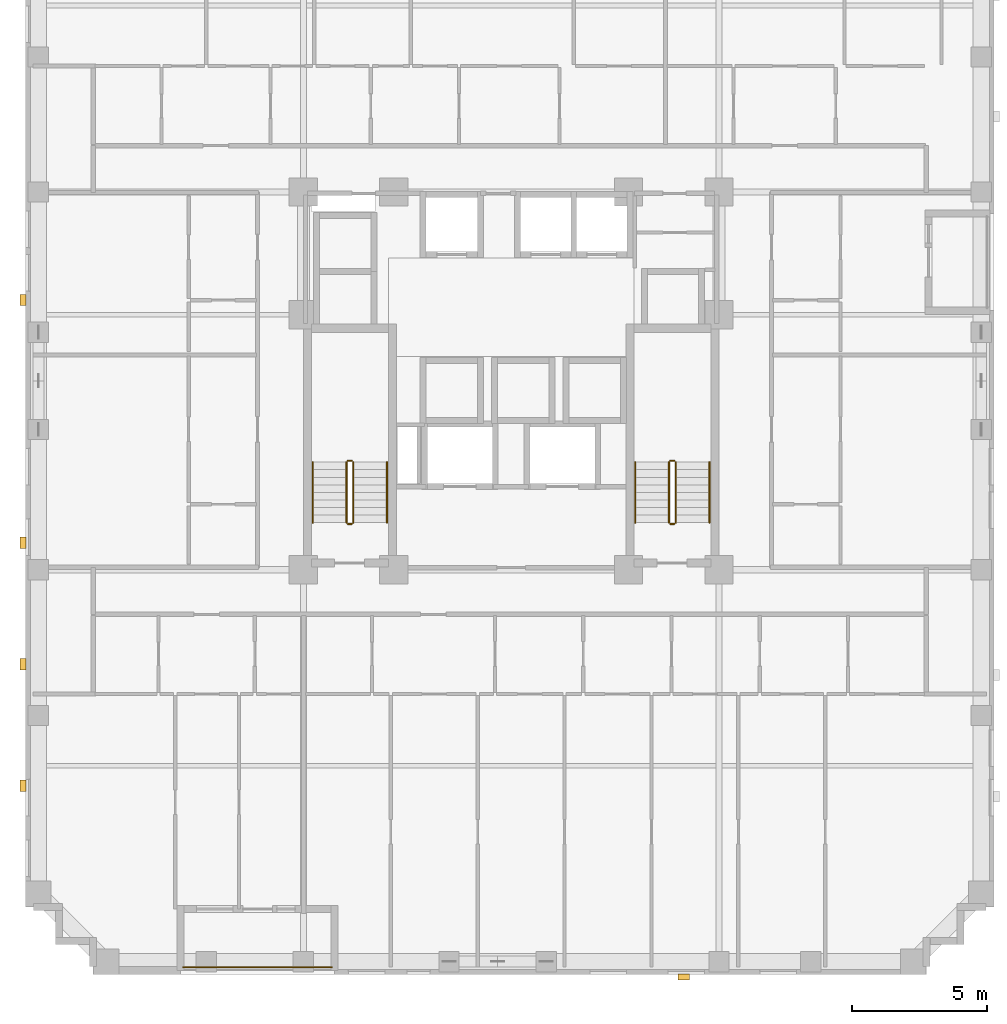
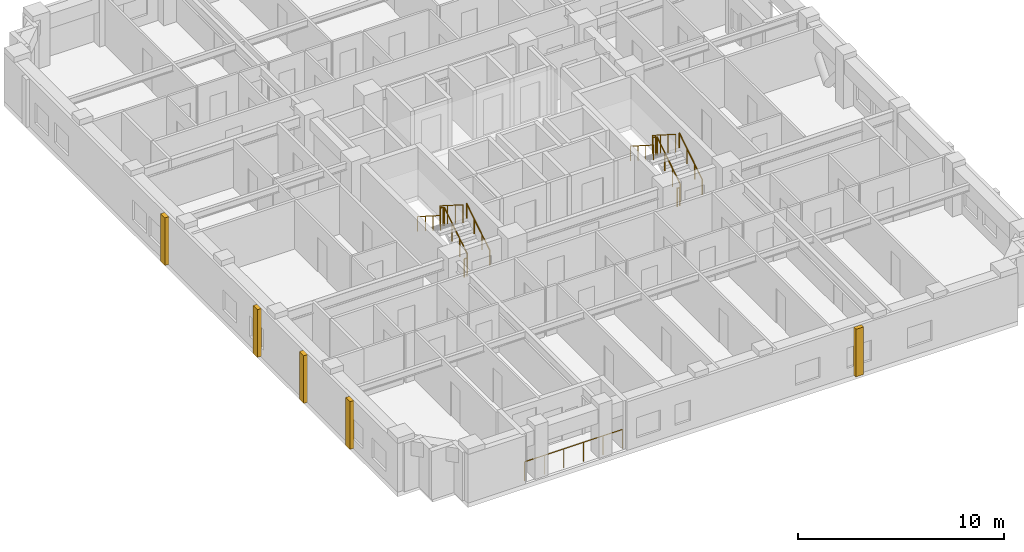
# One storey, part 11 of 12: 13 railings, 5 coverings.
"""IFC4 building model written with IfcOpenShell, lengths in metres."""

from ifc_helpers import new_model, si_unit, derived_unit, direction, frame, origin, origin_2d, place, context, subcontext, project, spatial, rectangle, circle, extrude, material, layer, layer_set, type_object, element, save


model = new_model("IFC4")

# Units and contexts
model_context = context("Model", 3, precision=1e-05, world=origin(), true_north=direction((0.0, 1.0)))
body_context = subcontext(model_context, "Body", "Model", "MODEL_VIEW")
ifc_project = project(units=[si_unit("LENGTHUNIT", "METRE"), si_unit("AREAUNIT", "SQUARE_METRE"), si_unit("VOLUMEUNIT", "CUBIC_METRE"), si_unit("PLANEANGLEUNIT", "RADIAN"), si_unit("MASSUNIT", "GRAM", prefix="KILO"), derived_unit("THERMALTRANSMITTANCEUNIT", [(si_unit("MASSUNIT", "GRAM", prefix="KILO"), 1), (si_unit("TIMEUNIT", "SECOND"), -3), (si_unit("THERMODYNAMICTEMPERATUREUNIT", "KELVIN"), -1)])], contexts=[model_context])

# Site, building, storey
site_placement = place(None, origin())
site = spatial("IfcSite", under=ifc_project, at=site_placement, CompositionType="ELEMENT")
building_placement = place(site_placement, origin())
building = spatial("IfcBuilding", under=site, at=building_placement, Name="Korrvale Station Residences", CompositionType="ELEMENT")
storey_placement = place(building_placement, frame((0.0, 0.0, 116.699951171875)))
storey = spatial("IfcBuildingStorey", under=building, at=storey_placement, Name="L33", CompositionType="ELEMENT", Elevation=116.699951171875)

# Coverings
ifc_material_1 = material(Name="Architectural precast concrete C45/55", Category="concrete")
ifc_layer = layer(ifc_material_1, 0.219970703125, Name="Architectural precast concrete C45/55")
ifc_layer_set = layer_set([ifc_layer], Name="Architectural precast concrete C45/55")
covering_type = type_object("IfcCoveringType", Name="COV-PIER-400", PredefinedType="CLADDING", material=ifc_layer_set)
for number, where, z_axis, x_axis, name in (
    (1, (31.89990234375, -0.090087890625, 0.02490234375), (0.0, 0.0, 1.0), (1.0, 0.0, 0.0), "L33 Architectural Precast Facade Pier 01"),
    (2, (7.409912109375, 7.0, 0.02490234375), (0.0, 0.0, 1.0), (0.0, 1.0, 0.0), "L33 Architectural Precast Facade Pier 04"),
    (3, (7.409912109375, 11.5, 0.02490234375), (0.0, 0.0, 1.0), (0.0, 1.0, 0.0), "L33 Architectural Precast Facade Pier 05"),
    (4, (7.409912109375, 16.0, 0.02490234375), (0.0, 0.0, 1.0), (0.0, 1.0, 0.0), "L33 Architectural Precast Facade Pier 06"),
    (5, (7.409912109375, 25.0, 0.02490234375), (0.0, 0.0, 1.0), (0.0, 1.0, 0.0), "L33 Architectural Precast Facade Pier 07"),
):
    element("IfcCovering", number, at=place(storey_placement, frame(where, z_axis=z_axis, x_axis=x_axis)), inside=storey, type_object=covering_type, Name=name, PredefinedType="CLADDING", context=body_context, shape_type="SweptSolid", body=[
        extrude(rectangle(XDim=0.419921875, YDim=0.219970703125, at=origin_2d()), origin(), (0.0, 0.0, 1.0), 2.830078125),
    ])

# Railings
ifc_material_2 = material(Name="Powder-coated aluminium picket loggia guard", Category="aluminium")
railing_type_1 = type_object("IfcRailingType", Name="RLG-BAL-1150", PredefinedType="GUARDRAIL", material=ifc_material_2)
railing_1_placement = place(storey_placement, frame((13.35009765625, 0.27001953125, 0.0)))
element("IfcRailing", 6, at=railing_1_placement, inside=storey, type_object=railing_type_1, Name="L33 Recessed Loggia Guardrail BAL-L33-S1", PredefinedType="GUARDRAIL", context=body_context, shape_type="SweptSolid", body=[
    extrude(circle(Radius=0.02392578125, at=origin_2d()), frame((0.0, 0.0, 1.1259765625), z_axis=(1.0, 0.0, 0.0), x_axis=(0.0, 1.0, 0.0)), (0.0, 0.0, 1.0), 5.5),
    extrude(circle(Radius=0.02099609375, at=origin_2d()), origin(), (0.0, 0.0, 1.0), 1.101806640625),
    extrude(circle(Radius=0.02099609375, at=origin_2d()), frame((1.10009765625, 0.0, 0.0)), (0.0, 0.0, 1.0), 1.101806640625),
    extrude(circle(Radius=0.02099609375, at=origin_2d()), frame((2.199951171875, 0.0, 0.0)), (0.0, 0.0, 1.0), 1.101806640625),
    extrude(circle(Radius=0.02099609375, at=origin_2d()), frame((3.300048828125, 0.0, 0.0)), (0.0, 0.0, 1.0), 1.101806640625),
    extrude(circle(Radius=0.02099609375, at=origin_2d()), frame((4.39990234375, 0.0, 0.0)), (0.0, 0.0, 1.0), 1.101806640625),
    extrude(circle(Radius=0.02099609375, at=origin_2d()), frame((5.5, 0.0, 0.0)), (0.0, 0.0, 1.0), 1.101806640625),
])
ifc_material_3 = material(Name="Brushed stainless-steel continuous stair handrail", Category="steel")
railing_type_2 = type_object("IfcRailingType", Name="RLG-SHND-900", PredefinedType="HANDRAIL", material=ifc_material_3)
railing_2_placement = place(storey_placement, frame((20.89990234375, 16.75, 0.177734375)))
element("IfcRailing", 7, at=railing_2_placement, inside=storey, type_object=railing_type_2, Name="L33 ST-1 stair handrail 1", PredefinedType="HANDRAIL", context=body_context, shape_type="SweptSolid", body=[
    extrude(circle(Radius=0.02392578125, at=origin_2d()), frame((0.0, 0.0, 0.8759765625), z_axis=(0.0, 0.84418770128, 0.536047689118), x_axis=(-1.0, 0.0, 0.0)), (0.0, 0.0, 1.0), 2.6533203125),
    extrude(circle(Radius=0.02099609375, at=origin_2d()), origin(), (0.0, 0.0, 1.0), 0.851806640625),
    extrude(circle(Radius=0.02099609375, at=origin_2d()), frame((0.0, 0.74658203125, 0.47412109375)), (0.0, 0.0, 1.0), 0.851806640625),
    extrude(circle(Radius=0.02099609375, at=origin_2d()), frame((0.0, 1.493408203125, 0.9482421875)), (0.0, 0.0, 1.0), 0.851806640625),
    extrude(circle(Radius=0.02099609375, at=origin_2d()), frame((0.0, 2.239990234375, 1.42236328125)), (0.0, 0.0, 1.0), 0.851806640625),
])
railing_3_placement = place(storey_placement, frame((18.14990234375, 18.989990234375, 1.77783203125)))
element("IfcRailing", 8, at=railing_3_placement, inside=storey, type_object=railing_type_2, Name="L33 ST-1 stair handrail 2", PredefinedType="HANDRAIL", context=body_context, shape_type="SweptSolid", body=[
    extrude(circle(Radius=0.02392578125, at=origin_2d()), frame((0.0, 0.0, 0.8759765625), z_axis=(0.0, -0.8442293374, 0.53598211339), x_axis=(1.0, 0.0, 0.0)), (0.0, 0.0, 1.0), 2.6533203125),
    extrude(circle(Radius=0.02099609375, at=origin_2d()), origin(), (0.0, 0.0, 1.0), 0.851806640625),
    extrude(circle(Radius=0.02099609375, at=origin_2d()), frame((0.0, -0.74658203125, 0.47412109375)), (0.0, 0.0, 1.0), 0.851806640625),
    extrude(circle(Radius=0.02099609375, at=origin_2d()), frame((0.0, -1.493408203125, 0.947998046875)), (0.0, 0.0, 1.0), 0.851806640625),
    extrude(circle(Radius=0.02099609375, at=origin_2d()), frame((0.0, -2.239990234375, 1.422119140625)), (0.0, 0.0, 1.0), 0.851806640625),
])
railing_4_placement = place(storey_placement, frame((32.85009765625, 16.75, 0.177734375)))
element("IfcRailing", 9, at=railing_4_placement, inside=storey, type_object=railing_type_2, Name="L33 ST-2 stair handrail 1", PredefinedType="HANDRAIL", context=body_context, shape_type="SweptSolid", body=[
    extrude(circle(Radius=0.02392578125, at=origin_2d()), frame((0.0, 0.0, 0.8759765625), z_axis=(0.0, 0.84418770128, 0.536047689118), x_axis=(-1.0, 0.0, 0.0)), (0.0, 0.0, 1.0), 2.6533203125),
    extrude(circle(Radius=0.02099609375, at=origin_2d()), origin(), (0.0, 0.0, 1.0), 0.851806640625),
    extrude(circle(Radius=0.02099609375, at=origin_2d()), frame((0.0, 0.74658203125, 0.47412109375)), (0.0, 0.0, 1.0), 0.851806640625),
    extrude(circle(Radius=0.02099609375, at=origin_2d()), frame((0.0, 1.493408203125, 0.9482421875)), (0.0, 0.0, 1.0), 0.851806640625),
    extrude(circle(Radius=0.02099609375, at=origin_2d()), frame((0.0, 2.239990234375, 1.42236328125)), (0.0, 0.0, 1.0), 0.851806640625),
])
railing_5_placement = place(storey_placement, frame((30.10009765625, 18.989990234375, 1.77783203125)))
element("IfcRailing", 10, at=railing_5_placement, inside=storey, type_object=railing_type_2, Name="L33 ST-2 stair handrail 2", PredefinedType="HANDRAIL", context=body_context, shape_type="SweptSolid", body=[
    extrude(circle(Radius=0.02392578125, at=origin_2d()), frame((0.0, 0.0, 0.8759765625), z_axis=(0.0, -0.8442293374, 0.53598211339), x_axis=(1.0, 0.0, 0.0)), (0.0, 0.0, 1.0), 2.6533203125),
    extrude(circle(Radius=0.02099609375, at=origin_2d()), origin(), (0.0, 0.0, 1.0), 0.851806640625),
    extrude(circle(Radius=0.02099609375, at=origin_2d()), frame((0.0, -0.74658203125, 0.47412109375)), (0.0, 0.0, 1.0), 0.851806640625),
    extrude(circle(Radius=0.02099609375, at=origin_2d()), frame((0.0, -1.493408203125, 0.947998046875)), (0.0, 0.0, 1.0), 0.851806640625),
    extrude(circle(Radius=0.02099609375, at=origin_2d()), frame((0.0, -2.239990234375, 1.422119140625)), (0.0, 0.0, 1.0), 0.851806640625),
])
ifc_material_4 = material(Name="Galvanised painted tubular steel stair guard", Category="steel")
railing_type_3 = type_object("IfcRailingType", Name="RLG-STR-1100", PredefinedType="GUARDRAIL", material=ifc_material_4)
railing_6_placement = place(storey_placement, frame((19.64990234375, 16.75, 0.177734375)))
element("IfcRailing", 11, at=railing_6_placement, inside=storey, type_object=railing_type_3, Name="L33 ST-1 stair guard 1", PredefinedType="GUARDRAIL", context=body_context, shape_type="SweptSolid", body=[
    extrude(circle(Radius=0.02392578125, at=origin_2d()), frame((0.0, 0.0, 1.076171875), z_axis=(0.0, 0.84418770128, 0.536047689118), x_axis=(-1.0, 0.0, 0.0)), (0.0, 0.0, 1.0), 2.6533203125),
    extrude(circle(Radius=0.02099609375, at=origin_2d()), origin(), (0.0, 0.0, 1.0), 1.052001953125),
    extrude(circle(Radius=0.02099609375, at=origin_2d()), frame((0.0, 0.74658203125, 0.47412109375)), (0.0, 0.0, 1.0), 1.052001953125),
    extrude(circle(Radius=0.02099609375, at=origin_2d()), frame((0.0, 1.493408203125, 0.9482421875)), (0.0, 0.0, 1.0), 1.052001953125),
    extrude(circle(Radius=0.02099609375, at=origin_2d()), frame((0.0, 2.239990234375, 1.42236328125)), (0.0, 0.0, 1.0), 1.052001953125),
])
railing_7_placement = place(storey_placement, frame((19.60009765625, 19.0400390625, 1.60009765625)))
element("IfcRailing", 12, at=railing_7_placement, inside=storey, type_object=railing_type_3, Name="L33 ST-1 stair guard 2", PredefinedType="GUARDRAIL", context=body_context, shape_type="SweptSolid", body=[
    extrude(circle(Radius=0.02392578125, at=origin_2d()), frame((0.0, 0.0, 1.076171875), z_axis=(-1.0, 0.0, 0.0), x_axis=(0.0, -1.0, 0.0)), (0.0, 0.0, 1.0), 0.150146484375),
    extrude(circle(Radius=0.02099609375, at=origin_2d()), origin(), (0.0, 0.0, 1.0), 1.052001953125),
    extrude(circle(Radius=0.02099609375, at=origin_2d()), frame((-0.150146484375, 0.0, 0.0)), (0.0, 0.0, 1.0), 1.052001953125),
])
railing_8_placement = place(storey_placement, frame((19.39990234375, 18.989990234375, 1.77783203125)))
element("IfcRailing", 13, at=railing_8_placement, inside=storey, type_object=railing_type_3, Name="L33 ST-1 stair guard 3", PredefinedType="GUARDRAIL", context=body_context, shape_type="SweptSolid", body=[
    extrude(circle(Radius=0.02392578125, at=origin_2d()), frame((0.0, 0.0, 1.076171875), z_axis=(0.0, -0.8442293374, 0.53598211339), x_axis=(1.0, 0.0, 0.0)), (0.0, 0.0, 1.0), 2.6533203125),
    extrude(circle(Radius=0.02099609375, at=origin_2d()), origin(), (0.0, 0.0, 1.0), 1.052001953125),
    extrude(circle(Radius=0.02099609375, at=origin_2d()), frame((0.0, -0.74658203125, 0.47412109375)), (0.0, 0.0, 1.0), 1.052001953125),
    extrude(circle(Radius=0.02099609375, at=origin_2d()), frame((0.0, -1.493408203125, 0.947998046875)), (0.0, 0.0, 1.0), 1.052001953125),
    extrude(circle(Radius=0.02099609375, at=origin_2d()), frame((0.0, -2.239990234375, 1.422119140625)), (0.0, 0.0, 1.0), 1.052001953125),
])
railing_9_placement = place(storey_placement, frame((19.60009765625, 16.699951171875, 0.0)))
element("IfcRailing", 14, at=railing_9_placement, inside=storey, type_object=railing_type_3, Name="L33 ST-1 stair guard 4", PredefinedType="GUARDRAIL", context=body_context, shape_type="SweptSolid", body=[
    extrude(circle(Radius=0.02392578125, at=origin_2d()), frame((0.0, 0.0, 1.076171875), z_axis=(-1.0, 0.0, 0.0), x_axis=(0.0, -1.0, 0.0)), (0.0, 0.0, 1.0), 0.150146484375),
    extrude(circle(Radius=0.02099609375, at=origin_2d()), origin(), (0.0, 0.0, 1.0), 1.052001953125),
    extrude(circle(Radius=0.02099609375, at=origin_2d()), frame((-0.150146484375, 0.0, 0.0)), (0.0, 0.0, 1.0), 1.052001953125),
])
railing_10_placement = place(storey_placement, frame((31.60009765625, 16.75, 0.177734375)))
element("IfcRailing", 15, at=railing_10_placement, inside=storey, type_object=railing_type_3, Name="L33 ST-2 stair guard 1", PredefinedType="GUARDRAIL", context=body_context, shape_type="SweptSolid", body=[
    extrude(circle(Radius=0.02392578125, at=origin_2d()), frame((0.0, 0.0, 1.076171875), z_axis=(0.0, 0.84418770128, 0.536047689118), x_axis=(-1.0, 0.0, 0.0)), (0.0, 0.0, 1.0), 2.6533203125),
    extrude(circle(Radius=0.02099609375, at=origin_2d()), origin(), (0.0, 0.0, 1.0), 1.052001953125),
    extrude(circle(Radius=0.02099609375, at=origin_2d()), frame((0.0, 0.74658203125, 0.47412109375)), (0.0, 0.0, 1.0), 1.052001953125),
    extrude(circle(Radius=0.02099609375, at=origin_2d()), frame((0.0, 1.493408203125, 0.9482421875)), (0.0, 0.0, 1.0), 1.052001953125),
    extrude(circle(Radius=0.02099609375, at=origin_2d()), frame((0.0, 2.239990234375, 1.42236328125)), (0.0, 0.0, 1.0), 1.052001953125),
])
railing_11_placement = place(storey_placement, frame((31.550048828125, 19.0400390625, 1.60009765625)))
element("IfcRailing", 16, at=railing_11_placement, inside=storey, type_object=railing_type_3, Name="L33 ST-2 stair guard 2", PredefinedType="GUARDRAIL", context=body_context, shape_type="SweptSolid", body=[
    extrude(circle(Radius=0.02392578125, at=origin_2d()), frame((0.0, 0.0, 1.076171875), z_axis=(-1.0, 0.0, 0.0), x_axis=(0.0, -1.0, 0.0)), (0.0, 0.0, 1.0), 0.150146484375),
    extrude(circle(Radius=0.02099609375, at=origin_2d()), origin(), (0.0, 0.0, 1.0), 1.052001953125),
    extrude(circle(Radius=0.02099609375, at=origin_2d()), frame((-0.150146484375, 0.0, 0.0)), (0.0, 0.0, 1.0), 1.052001953125),
])
railing_12_placement = place(storey_placement, frame((31.35009765625, 18.989990234375, 1.77783203125)))
element("IfcRailing", 17, at=railing_12_placement, inside=storey, type_object=railing_type_3, Name="L33 ST-2 stair guard 3", PredefinedType="GUARDRAIL", context=body_context, shape_type="SweptSolid", body=[
    extrude(circle(Radius=0.02392578125, at=origin_2d()), frame((0.0, 0.0, 1.076171875), z_axis=(0.0, -0.8442293374, 0.53598211339), x_axis=(1.0, 0.0, 0.0)), (0.0, 0.0, 1.0), 2.6533203125),
    extrude(circle(Radius=0.02099609375, at=origin_2d()), origin(), (0.0, 0.0, 1.0), 1.052001953125),
    extrude(circle(Radius=0.02099609375, at=origin_2d()), frame((0.0, -0.74658203125, 0.47412109375)), (0.0, 0.0, 1.0), 1.052001953125),
    extrude(circle(Radius=0.02099609375, at=origin_2d()), frame((0.0, -1.493408203125, 0.947998046875)), (0.0, 0.0, 1.0), 1.052001953125),
    extrude(circle(Radius=0.02099609375, at=origin_2d()), frame((0.0, -2.239990234375, 1.422119140625)), (0.0, 0.0, 1.0), 1.052001953125),
])
railing_13_placement = place(storey_placement, frame((31.550048828125, 16.699951171875, 0.0)))
element("IfcRailing", 18, at=railing_13_placement, inside=storey, type_object=railing_type_3, Name="L33 ST-2 stair guard 4", PredefinedType="GUARDRAIL", context=body_context, shape_type="SweptSolid", body=[
    extrude(circle(Radius=0.02392578125, at=origin_2d()), frame((0.0, 0.0, 1.076171875), z_axis=(-1.0, 0.0, 0.0), x_axis=(0.0, -1.0, 0.0)), (0.0, 0.0, 1.0), 0.150146484375),
    extrude(circle(Radius=0.02099609375, at=origin_2d()), origin(), (0.0, 0.0, 1.0), 1.052001953125),
    extrude(circle(Radius=0.02099609375, at=origin_2d()), frame((-0.150146484375, 0.0, 0.0)), (0.0, 0.0, 1.0), 1.052001953125),
])

save(model, "model.ifc")
